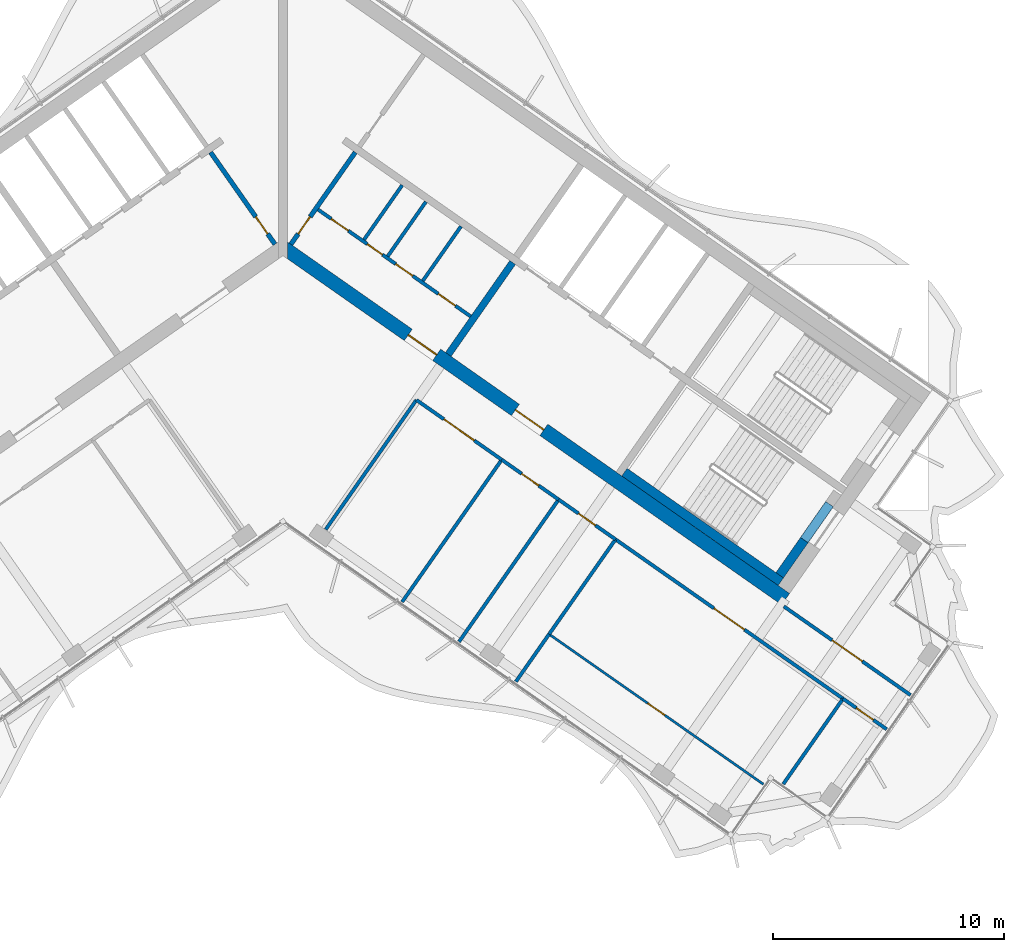
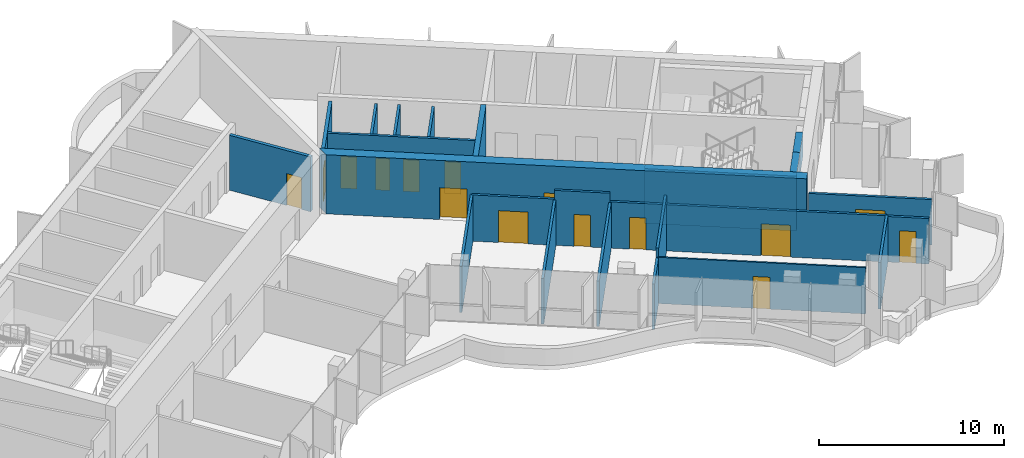
# One storey, part 10 of 17: 24 walls, 15 doors, 15 openings.
"""IFC4 building model written with IfcOpenShell, lengths in metres."""

import ifcopenshell
import ifcopenshell.guid

model = None  # the IFC model being written
_history = None  # IfcOwnerHistory: only IFC2X3 demands one
_inside = {}  # id of a spatial element -> (the spatial element, [elements in it])
_under = {}  # id of a project, library or spatial element -> (it, [spatial elements below it])
_declared = {}  # id of a project -> (the project, [libraries it declares])
_typed = {}  # id of a type object -> (the type object, [elements of that type])
_made_of = {}  # id of a material, layer set ... -> (it, [elements and type objects made of it])


def new_model(schema):
    """Start an empty IFC model of exactly this schema.

    Asked for "IFC4X3", IfcOpenShell would pick the latest addendum, in which some entities
    have other attributes; the version numbers below select the first issue.
    IFC2X3 requires an IfcOwnerHistory on every rooted entity: one is made here for all.
    """
    global model, _history
    if schema == "IFC4X3":
        model = ifcopenshell.file(schema_version=(4, 3, 0, 0))
    else:
        model = ifcopenshell.file(schema=schema)
    _inside.clear()
    _under.clear()
    _declared.clear()
    _typed.clear()
    _made_of.clear()
    _history = None
    if model.schema == "IFC2X3":
        org = make("IfcOrganization", Name="unknown")
        user = make(
            "IfcPersonAndOrganization",
            ThePerson=make("IfcPerson", FamilyName="unknown"),
            TheOrganization=org,
        )
        app = make(
            "IfcApplication",
            ApplicationDeveloper=org,
            Version="unknown",
            ApplicationFullName="unknown",
            ApplicationIdentifier="unknown",
        )
        _history = make(
            "IfcOwnerHistory",
            OwningUser=user,
            OwningApplication=app,
            ChangeAction="ADDED",
            CreationDate=0,
        )
    return model


def make(cls, **values):
    """One entity of the class cls with the attributes given. An attribute that is None is left unset."""
    return model.create_entity(
        cls, **{name: value for name, value in values.items() if value is not None}
    )


def rooted(cls, **values):
    """An entity with a GlobalId (a new one), such as an element, a storey or a relation."""
    return make(cls, GlobalId=ifcopenshell.guid.new(), OwnerHistory=_history, **values)


def si_unit(unit_type, name, prefix=None):
    """IfcSIUnit, for example si_unit("LENGTHUNIT", "METRE", prefix="MILLI")."""
    return make("IfcSIUnit", UnitType=unit_type, Prefix=prefix, Name=name)


def assignment(units):
    """IfcUnitAssignment: the units of a project."""
    return None if units is None else make("IfcUnitAssignment", Units=units)


def point(xyz):
    """IfcCartesianPoint."""
    return None if xyz is None else make("IfcCartesianPoint", Coordinates=xyz)


def direction(xyz):
    """IfcDirection."""
    return None if xyz is None else make("IfcDirection", DirectionRatios=xyz)


def frame(location, z_axis=None, x_axis=None):
    """IfcAxis2Placement3D, a coordinate frame: its origin and axes. An axis left out is left unset."""
    return make(
        "IfcAxis2Placement3D",
        Location=point(location),
        Axis=direction(z_axis),
        RefDirection=direction(x_axis),
    )


def frame_2d(location, x_axis=None):
    """IfcAxis2Placement2D, a coordinate frame in the plane: its origin and x axis."""
    return make(
        "IfcAxis2Placement2D", Location=point(location), RefDirection=direction(x_axis)
    )


def origin():
    """The frame at (0, 0, 0) with its axes left unset."""
    return frame((0.0, 0.0, 0.0))


def place(relative_to, where):
    """IfcLocalPlacement: puts the frame where relative to a parent placement (None: the world)."""
    return make(
        "IfcLocalPlacement", PlacementRelTo=relative_to, RelativePlacement=where
    )


def context(
    kind, dimensions, precision=None, world=None, true_north=None, identifier=None
):
    """IfcGeometricRepresentationContext, for example the 3D "Model" context."""
    return make(
        "IfcGeometricRepresentationContext",
        ContextIdentifier=identifier,
        ContextType=kind,
        CoordinateSpaceDimension=dimensions,
        Precision=precision,
        WorldCoordinateSystem=world,
        TrueNorth=true_north,
    )


def subcontext(parent, identifier, kind, view, scale=None):
    """IfcGeometricRepresentationSubContext, for example "Body" below "Model"."""
    return make(
        "IfcGeometricRepresentationSubContext",
        ContextIdentifier=identifier,
        ContextType=kind,
        ParentContext=parent,
        TargetScale=scale,
        TargetView=view,
    )


def project(units=None, contexts=None):
    """IfcProject with its units and contexts."""
    return rooted(
        "IfcProject",
        Name="project",
        RepresentationContexts=contexts,
        UnitsInContext=assignment(units),
    )


def spatial(cls, under=None, at=None, **own):
    """A site, building, storey or space (cls), placed at a placement, below another one or the project."""
    s = rooted(cls, ObjectPlacement=at, **own)
    if under is not None:
        _under.setdefault(under.id(), (under, []))[1].append(s)
    return s


def polyline(points):
    """IfcPolyline through the points."""
    return make("IfcPolyline", Points=[point(p) for p in points])


def profile(cls, at=None, kind="AREA", **sizes):
    """A parametric profile (cls). Its sizes go by their IFC names, for example OverallWidth=200.0."""
    return make(cls, ProfileType=kind, Position=at, **sizes)


def rectangle(**sizes):
    """IfcRectangleProfileDef."""
    return profile("IfcRectangleProfileDef", **sizes)


def outline(outer, holes=None, kind="AREA"):
    """IfcArbitraryClosedProfileDef: a profile drawn as a closed curve; with holes, ...WithVoids."""
    if holes is None:
        return make("IfcArbitraryClosedProfileDef", ProfileType=kind, OuterCurve=outer)
    return make(
        "IfcArbitraryProfileDefWithVoids",
        ProfileType=kind,
        OuterCurve=outer,
        InnerCurves=holes,
    )


def extrude(swept, where, along, depth):
    """IfcExtrudedAreaSolid: the profile swept, set in the frame where, extruded along a direction by depth."""
    return make(
        "IfcExtrudedAreaSolid",
        SweptArea=swept,
        Position=where,
        ExtrudedDirection=direction(along),
        Depth=depth,
    )


def shape(context_of_items, identifier, shape_type, items):
    """IfcShapeRepresentation: the items that make up one representation, for example the "Body"."""
    return make(
        "IfcShapeRepresentation",
        ContextOfItems=context_of_items,
        RepresentationIdentifier=identifier,
        RepresentationType=shape_type,
        Items=items,
    )


def material(Name=None, Category=None):
    """IfcMaterial."""
    return make("IfcMaterial", Name=Name, Category=Category)


def layer(
    of_material, thickness, ventilated=None, Name=None, Category=None, Priority=None
):
    """IfcMaterialLayer: one layer of a wall or slab, of a material (None: an air gap)."""
    return make(
        "IfcMaterialLayer",
        Material=of_material,
        LayerThickness=thickness,
        IsVentilated=ventilated,
        Name=Name,
        Category=Category,
        Priority=Priority,
    )


def layer_set(layers, Name=None):
    """IfcMaterialLayerSet."""
    return make("IfcMaterialLayerSet", MaterialLayers=layers, LayerSetName=Name)


def made_of(thing, what):
    """Note that an element or type object is made of a material, layer set ...; save() writes the relation."""
    if what is not None:
        _made_of.setdefault(what.id(), (what, []))[1].append(thing)
    return thing


def type_object(cls, material=None, **own):
    """A type object (cls), such as IfcWallType, which elements share."""
    return made_of(rooted(cls, **own), material)


def element(
    cls,
    number,
    at=None,
    inside=None,
    cuts=None,
    type_object=None,
    material=None,
    context=None,
    identifier="Body",
    shape_type=None,
    held_by="IfcProductDefinitionShape",
    body=None,
    shapes=None,
    **own,
):
    """One element of the class cls, such as IfcWall. Its Tag is "e" and its number.

    at: its placement. inside: the storey or other place that contains it. cuts: it is an
    opening in that element (IfcRelVoidsElement). A single representation is given by context,
    identifier, shape_type and body (its items); several are given by shapes. held_by: the class
    of the entity that holds the representations. save() writes the other relations.
    """
    e = rooted(cls, Tag="e%d" % number, ObjectPlacement=at, **own)
    if body is not None:
        shapes = [shape(context, identifier, shape_type, body)]
    if shapes is not None:
        e.Representation = make(held_by, Representations=shapes)
    if inside is not None:
        _inside.setdefault(inside.id(), (inside, []))[1].append(e)
    if cuts is not None:
        rooted(
            "IfcRelVoidsElement", RelatingBuildingElement=cuts, RelatedOpeningElement=e
        )
    if type_object is not None:
        _typed.setdefault(type_object.id(), (type_object, []))[1].append(e)
    return made_of(e, material)


def fill(opening, filler):
    """IfcRelFillsElement: the door or window that sits in an opening."""
    return rooted(
        "IfcRelFillsElement",
        RelatingOpeningElement=opening,
        RelatedBuildingElement=filler,
    )


def aggregate(whole, parts):
    """IfcRelAggregates: a whole, such as a stair, and the parts it consists of."""
    return rooted("IfcRelAggregates", RelatingObject=whole, RelatedObjects=parts)


def save(model, path):
    """Write the relations noted so far, then the file.

    IfcRelAggregates (storeys below a building ...), IfcRelContainedInSpatialStructure (elements
    in a storey), IfcRelDefinesByType, IfcRelAssociatesMaterial and IfcRelDeclares: one each for
    every whole, place, type object, material and project.
    """
    for whole, parts in _under.values():
        aggregate(whole, parts)
    for where, things in _inside.values():
        rooted(
            "IfcRelContainedInSpatialStructure",
            RelatedElements=things,
            RelatingStructure=where,
        )
    for kind, things in _typed.values():
        rooted("IfcRelDefinesByType", RelatedObjects=things, RelatingType=kind)
    for what, things in _made_of.values():
        rooted("IfcRelAssociatesMaterial", RelatedObjects=things, RelatingMaterial=what)
    for by, libraries in _declared.values():
        rooted("IfcRelDeclares", RelatingContext=by, RelatedDefinitions=libraries)
    model.write(path)


model = new_model("IFC4")

# Units and contexts
model_context = context("Model", 3, precision=1e-05, world=origin(), true_north=direction((0.0, 1.0)))
body_context = subcontext(model_context, "Body", "Model", "MODEL_VIEW")
ifc_project = project(units=[si_unit("LENGTHUNIT", "METRE"), si_unit("AREAUNIT", "SQUARE_METRE"), si_unit("VOLUMEUNIT", "CUBIC_METRE"), si_unit("PLANEANGLEUNIT", "RADIAN"), si_unit("MASSUNIT", "GRAM", prefix="KILO")], contexts=[model_context])

# Site, building, storey
site_placement = place(None, origin())
site = spatial("IfcSite", under=ifc_project, at=site_placement, CompositionType="ELEMENT")
building_placement = place(site_placement, origin())
building = spatial("IfcBuilding", under=site, at=building_placement, Name="Tel Ilan Convention Tower", CompositionType="ELEMENT")
storey_placement = place(building_placement, frame((0.0, 0.0, 283.89990234375)))
storey = spatial("IfcBuildingStorey", under=building, at=storey_placement, Name="L67", CompositionType="ELEMENT", Elevation=283.89990234375)

# Wall, openings, doors
ifc_material_1 = material(Name="Gypsum Plasterboard on Steel Stud", Category="steel")
ifc_layer_1 = layer(ifc_material_1, 0.14990234375)
ifc_layer_set_1 = layer_set([ifc_layer_1], Name="Core Room Partition Wall 150 mm EI 60")
wall_type_1 = type_object("IfcWallType", Name="Core Room Partition Wall 150 mm EI 60", PredefinedType="PARTITIONING", material=ifc_layer_set_1)
wall_1_placement = place(storey_placement, frame((1.515625, 0.77001953125, 0.0), z_axis=(0.0, 0.0, 1.0), x_axis=(0.819146424436, -0.573584462249, 0.0)))
wall_1 = element("IfcWall", 1, at=wall_1_placement, inside=storey, type_object=wall_type_1, Name="L67 core wall wc-h1", PredefinedType="PARTITIONING", context=body_context, shape_type="SweptSolid", body=[
    extrude(rectangle(XDim=8.050048828125, YDim=0.14990234375, at=frame_2d((4.02490234375, 0.0))), origin(), (0.0, 0.0, 1.0), 3.6201171875),
])
opening_1_placement = place(wall_1_placement, frame((0.699951171875, 0.0, 0.0)))
opening_1 = element("IfcOpeningElement", 2, at=opening_1_placement, cuts=wall_1, Name="Opening CD5013", PredefinedType="OPENING", context=body_context, shape_type="SweptSolid", body=[
    extrude(rectangle(XDim=0.89990234375, YDim=2.10009765625, at=frame_2d((0.449951171875, 1.050048828125))), frame((0.0, 0.0849609375, 0.0), z_axis=(0.0, -1.0, 0.0), x_axis=(1.0, 0.0, 0.0)), (0.0, 0.0, 1.0), 0.169921875),
])
opening_2_placement = place(wall_1_placement, frame((2.60009765625, 0.0, 0.0)))
opening_2 = element("IfcOpeningElement", 3, at=opening_2_placement, cuts=wall_1, Name="Opening CD5012", PredefinedType="OPENING", context=body_context, shape_type="SweptSolid", body=[
    extrude(rectangle(XDim=0.800048828125, YDim=2.10009765625, at=frame_2d((0.39990234375, 1.050048828125))), frame((0.0, 0.0849609375, 0.0), z_axis=(0.0, -1.0, 0.0), x_axis=(1.0, 0.0, 0.0)), (0.0, 0.0, 1.0), 0.169921875),
])
opening_3_placement = place(wall_1_placement, frame((4.10009765625, 0.0, 0.0)))
opening_3 = element("IfcOpeningElement", 4, at=opening_3_placement, cuts=wall_1, Name="Opening CD5011", PredefinedType="OPENING", context=body_context, shape_type="SweptSolid", body=[
    extrude(rectangle(XDim=0.89990234375, YDim=2.10009765625, at=frame_2d((0.449951171875, 1.050048828125))), frame((0.0, 0.0849609375, 0.0), z_axis=(0.0, -1.0, 0.0), x_axis=(1.0, 0.0, 0.0)), (0.0, 0.0, 1.0), 0.169921875),
])
opening_4_placement = place(wall_1_placement, frame((6.35009765625, 0.0, 0.0)))
opening_4 = element("IfcOpeningElement", 5, at=opening_4_placement, cuts=wall_1, Name="Opening CD5014", PredefinedType="OPENING", context=body_context, shape_type="SweptSolid", body=[
    extrude(rectangle(XDim=0.89990234375, YDim=2.10009765625, at=frame_2d((0.449951171875, 1.050048828125))), frame((0.0, 0.0849609375, 0.0), z_axis=(0.0, -1.0, 0.0), x_axis=(1.0, 0.0, 0.0)), (0.0, 0.0, 1.0), 0.169921875),
])
ifc_material_2 = material(Name="Galvanised Steel Door Leaf", Category="steel")
door_type_1 = type_object("IfcDoorType", Name="Store Door 800 x 2100 FD60", OperationType="NOTDEFINED", PredefinedType="DOOR", material=ifc_material_2)
door_1_placement = place(opening_2_placement, origin())
door_1 = element("IfcDoor", 6, at=door_1_placement, inside=storey, type_object=door_type_1, Name="Cleaner's store door", OperationType="SINGLE_SWING_RIGHT", OverallHeight=2.10009765625, OverallWidth=0.800048828125, PredefinedType="DOOR", context=body_context, shape_type="SweptSolid", body=[
    extrude(rectangle(XDim=0.800048828125, YDim=2.10009765625, at=frame_2d((0.39990234375, 1.050048828125))), frame((0.0, 0.02490234375, 0.0), z_axis=(0.0, -1.0, 0.0), x_axis=(1.0, 0.0, 0.0)), (0.0, 0.0, 1.0), 0.050048828125),
])
fill(opening_2, door_1)
ifc_material_3 = material(Name="Laminated Timber Door Leaf", Category="wood")
door_type_2 = type_object("IfcDoorType", Name="Toilet Door 900 x 2100 FD30S", OperationType="NOTDEFINED", PredefinedType="DOOR", material=ifc_material_3)
door_2_placement = place(opening_1_placement, origin())
door_2 = element("IfcDoor", 7, at=door_2_placement, inside=storey, type_object=door_type_2, Name="Men's WC door", OperationType="SINGLE_SWING_RIGHT", OverallHeight=2.10009765625, OverallWidth=0.89990234375, PredefinedType="DOOR", context=body_context, shape_type="SweptSolid", body=[
    extrude(rectangle(XDim=0.89990234375, YDim=2.10009765625, at=frame_2d((0.449951171875, 1.050048828125))), frame((0.0, 0.02490234375, 0.0), z_axis=(0.0, -1.0, 0.0), x_axis=(1.0, 0.0, 0.0)), (0.0, 0.0, 1.0), 0.050048828125),
])
fill(opening_1, door_2)
door_3_placement = place(opening_3_placement, origin())
door_3 = element("IfcDoor", 8, at=door_3_placement, inside=storey, type_object=door_type_2, Name="Accessible WC door", OperationType="SINGLE_SWING_RIGHT", OverallHeight=2.10009765625, OverallWidth=0.89990234375, PredefinedType="DOOR", context=body_context, shape_type="SweptSolid", body=[
    extrude(rectangle(XDim=0.89990234375, YDim=2.10009765625, at=frame_2d((0.449951171875, 1.050048828125))), frame((0.0, 0.02490234375, 0.0), z_axis=(0.0, -1.0, 0.0), x_axis=(1.0, 0.0, 0.0)), (0.0, 0.0, 1.0), 0.050048828125),
])
fill(opening_3, door_3)
door_4_placement = place(opening_4_placement, origin())
door_4 = element("IfcDoor", 9, at=door_4_placement, inside=storey, type_object=door_type_2, Name="Women's WC door", OperationType="SINGLE_SWING_RIGHT", OverallHeight=2.10009765625, OverallWidth=0.89990234375, PredefinedType="DOOR", context=body_context, shape_type="SweptSolid", body=[
    extrude(rectangle(XDim=0.89990234375, YDim=2.10009765625, at=frame_2d((0.449951171875, 1.050048828125))), frame((0.0, 0.02490234375, 0.0), z_axis=(0.0, -1.0, 0.0), x_axis=(1.0, 0.0, 0.0)), (0.0, 0.0, 1.0), 0.050048828125),
])
fill(opening_4, door_4)

# Walls
wall_2_placement = place(storey_placement, frame((3.504150390625, -0.531005859375, 0.0), z_axis=(0.0, 0.0, 1.0), x_axis=(0.573582013179, 0.819148139324, 0.0)))
element("IfcWall", 10, at=wall_2_placement, inside=storey, type_object=wall_type_1, Name="L67 core wall wc-v0", PredefinedType="PARTITIONING", context=body_context, shape_type="SweptSolid", body=[
    extrude(rectangle(XDim=2.875244140625, YDim=0.14990234375, at=frame_2d((1.4375, 0.0))), origin(), (0.0, 0.0, 1.0), 3.6201171875),
])
wall_3_placement = place(storey_placement, frame((4.528076171875, -1.247802734375, 0.0), z_axis=(0.0, 0.0, 1.0), x_axis=(0.573621911162, 0.819120200602, 0.0)))
element("IfcWall", 11, at=wall_3_placement, inside=storey, type_object=wall_type_1, Name="L67 core wall wc-v1", PredefinedType="PARTITIONING", context=body_context, shape_type="SweptSolid", body=[
    extrude(rectangle(XDim=2.875, YDim=0.14990234375, at=frame_2d((1.4375, 0.0))), origin(), (0.0, 0.0, 1.0), 3.6201171875),
])
wall_4_placement = place(storey_placement, frame((6.043701171875, -2.30908203125, 0.0), z_axis=(0.0, 0.0, 1.0), x_axis=(0.573564930514, 0.819160100642, 0.0)))
element("IfcWall", 12, at=wall_4_placement, inside=storey, type_object=wall_type_1, Name="L67 core wall wc-v2", PredefinedType="PARTITIONING", context=body_context, shape_type="SweptSolid", body=[
    extrude(rectangle(XDim=2.874755859375, YDim=0.14990234375, at=frame_2d((1.4375, 0.0))), origin(), (0.0, 0.0, 1.0), 3.6201171875),
])

# Wall, opening, door
ifc_material_4 = material(Name="Concrete C30/37", Category="concrete")
ifc_layer_2 = layer(ifc_material_4, 0.199951171875)
ifc_layer_set_2 = layer_set([ifc_layer_2], Name="Core Service Room Wall 200 mm C30/37")
wall_type_2 = type_object("IfcWallType", Name="Core Service Room Wall 200 mm C30/37", PredefinedType="SOLIDWALL", material=ifc_layer_set_2)
wall_5_placement = place(storey_placement, frame((-0.343994140625, -0.729248046875, 0.0), z_axis=(0.0, 0.0, 1.0), x_axis=(-0.573560315113, 0.819163332265, 0.0)))
wall_5 = element("IfcWall", 13, at=wall_5_placement, inside=storey, type_object=wall_type_2, Name="L67 core wall apex-W", PredefinedType="SOLIDWALL", context=body_context, shape_type="SweptSolid", body=[
    extrude(rectangle(XDim=4.849853515625, YDim=0.199951171875, at=frame_2d((2.4248046875, 0.0))), origin(), (0.0, 0.0, 1.0), 3.6201171875),
])
opening_5_placement = place(wall_5_placement, frame((0.550048828125, 0.0, 0.0)))
opening_5 = element("IfcOpeningElement", 14, at=opening_5_placement, cuts=wall_5, Name="Opening CD5002", PredefinedType="OPENING", context=body_context, shape_type="SweptSolid", body=[
    extrude(rectangle(XDim=0.89990234375, YDim=2.10009765625, at=frame_2d((0.449951171875, 1.050048828125))), frame((0.0, 0.10986328125, 0.0), z_axis=(0.0, -1.0, 0.0), x_axis=(1.0, 0.0, 0.0)), (0.0, 0.0, 1.0), 0.219970703125),
])
ifc_material_5 = material(Name="Galvanised Steel Door Leaf", Category="steel")
door_type_3 = type_object("IfcDoorType", Name="Service Room Door 900 x 2100 FD60", OperationType="NOTDEFINED", PredefinedType="DOOR", material=ifc_material_5)
door_5_placement = place(opening_5_placement, origin())
door_5 = element("IfcDoor", 15, at=door_5_placement, inside=storey, type_object=door_type_3, Name="Riser Room door", OperationType="SINGLE_SWING_RIGHT", OverallHeight=2.10009765625, OverallWidth=0.89990234375, PredefinedType="DOOR", context=body_context, shape_type="SweptSolid", body=[
    extrude(rectangle(XDim=0.89990234375, YDim=2.10009765625, at=frame_2d((0.449951171875, 1.050048828125))), frame((0.0, 0.02490234375, 0.0), z_axis=(0.0, -1.0, 0.0), x_axis=(1.0, 0.0, 0.0)), (0.0, 0.0, 1.0), 0.050048828125),
])
fill(opening_5, door_5)

wall_6_placement = place(storey_placement, frame((0.343994140625, -0.729248046875, 0.0), z_axis=(0.0, 0.0, 1.0), x_axis=(0.573560315113, 0.819163332265, 0.0)))
wall_6 = element("IfcWall", 16, at=wall_6_placement, inside=storey, type_object=wall_type_2, Name="L67 core wall apex-E", PredefinedType="SOLIDWALL", context=body_context, shape_type="SweptSolid", body=[
    extrude(rectangle(XDim=4.849853515625, YDim=0.199951171875, at=frame_2d((2.4248046875, 0.0))), origin(), (0.0, 0.0, 1.0), 3.6201171875),
])
opening_6_placement = place(wall_6_placement, frame((0.550048828125, 0.0, 0.0)))
opening_6 = element("IfcOpeningElement", 17, at=opening_6_placement, cuts=wall_6, Name="Opening CD5001", PredefinedType="OPENING", context=body_context, shape_type="SweptSolid", body=[
    extrude(rectangle(XDim=0.89990234375, YDim=2.10009765625, at=frame_2d((0.449951171875, 1.050048828125))), frame((0.0, 0.10986328125, 0.0), z_axis=(0.0, -1.0, 0.0), x_axis=(1.0, 0.0, 0.0)), (0.0, 0.0, 1.0), 0.219970703125),
])
door_6_placement = place(opening_6_placement, origin())
door_6 = element("IfcDoor", 18, at=door_6_placement, inside=storey, type_object=door_type_3, Name="Electrical Room door", OperationType="SINGLE_SWING_RIGHT", OverallHeight=2.10009765625, OverallWidth=0.89990234375, PredefinedType="DOOR", context=body_context, shape_type="SweptSolid", body=[
    extrude(rectangle(XDim=0.89990234375, YDim=2.10009765625, at=frame_2d((0.449951171875, 1.050048828125))), frame((0.0, 0.02490234375, 0.0), z_axis=(0.0, -1.0, 0.0), x_axis=(1.0, 0.0, 0.0)), (0.0, 0.0, 1.0), 0.050048828125),
])
fill(opening_6, door_6)

# Wall
ifc_material_6 = material(Name="Concrete C40/50", Category="concrete")
ifc_layer_3 = layer(ifc_material_6, 0.300048828125)
ifc_layer_set_3 = layer_set([ifc_layer_3], Name="Core Shear Wall 300 mm C40/50")
wall_type_3 = type_object("IfcWallType", Name="Core Shear Wall 300 mm C40/50", PredefinedType="SHEAR", material=ifc_layer_set_3)
wall_7_placement = place(storey_placement, frame((7.142822265625, -5.48974609375, 0.0), z_axis=(0.0, 0.0, 1.0), x_axis=(0.573617744349, 0.819123118565, 0.0)))
element("IfcWall", 19, at=wall_7_placement, inside=storey, type_object=wall_type_3, Name="L67 core wall E-cross1-1", PredefinedType="SHEAR", context=body_context, shape_type="SweptSolid", body=[
    extrude(outline(polyline([(0.0, 0.14990234375), (0.0, -0.150146484375), (4.85009765625, -0.14990234375), (4.85009765625, 0.150146484375), (0.0, 0.14990234375)])), origin(), (0.0, 0.0, 1.0), 3.900146484375),
])

# Wall, openings, doors
ifc_material_7 = material(Name="Concrete C40/50", Category="concrete")
ifc_layer_4 = layer(ifc_material_7, 0.60009765625)
ifc_layer_set_4 = layer_set([ifc_layer_4], Name="Core Shear Wall 600 mm C40/50")
wall_type_4 = type_object("IfcWallType", Name="Core Shear Wall 600 mm C40/50", PredefinedType="SHEAR", material=ifc_layer_set_4)
wall_8_placement = place(storey_placement, frame((0.02783203125, -0.8740234375, 0.0), z_axis=(0.0, 0.0, 1.0), x_axis=(0.819150035022, -0.573579305871, 0.0)))
wall_8 = element("IfcWall", 20, at=wall_8_placement, inside=storey, type_object=wall_type_4, Name="L67 core wall E-front", PredefinedType="SHEAR", context=body_context, shape_type="SweptSolid", body=[
    extrude(outline(polyline([(26.475830078125, 0.300048828125), (0.000244140625, 0.300048828125), (0.420166015625, -0.300048828125), (26.475830078125, -0.2998046875), (26.475830078125, 0.300048828125)])), origin(), (0.0, 0.0, 1.0), 3.900146484375),
])
opening_7_placement = place(wall_8_placement, frame((6.57568359375, 0.0, 0.0)))
opening_7 = element("IfcOpeningElement", 21, at=opening_7_placement, cuts=wall_8, Name="Opening CD5004", PredefinedType="OPENING", context=body_context, shape_type="SweptSolid", body=[
    extrude(rectangle(XDim=1.5, YDim=2.10009765625, at=frame_2d((0.75, 1.050048828125))), frame((0.0, 0.31005859375, 0.0), z_axis=(0.0, -1.0, 0.0), x_axis=(1.0, 0.0, 0.0)), (0.0, 0.0, 1.0), 0.6201171875),
])
opening_8_placement = place(wall_8_placement, frame((12.225830078125, 0.0, 0.0)))
opening_8 = element("IfcOpeningElement", 22, at=opening_8_placement, cuts=wall_8, Name="Opening CD5005", PredefinedType="OPENING", context=body_context, shape_type="SweptSolid", body=[
    extrude(rectangle(XDim=1.5, YDim=2.10009765625, at=frame_2d((0.75, 1.050048828125))), frame((0.0, 0.31005859375, 0.0), z_axis=(0.0, -1.0, 0.0), x_axis=(1.0, 0.0, 0.0)), (0.0, 0.0, 1.0), 0.6201171875),
])
ifc_material_8 = material(Name="Glazed Aluminium Door Leaf", Category="aluminium")
door_type_4 = type_object("IfcDoorType", Name="Lobby Opening Door 1500 x 2100 FD60S", OperationType="NOTDEFINED", PredefinedType="DOOR", material=ifc_material_8)
door_7_placement = place(opening_8_placement, origin())
door_7 = element("IfcDoor", 23, at=door_7_placement, inside=storey, type_object=door_type_4, Name="Firefighting Lobby door", OperationType="DOUBLE_DOOR_SINGLE_SWING", OverallHeight=2.10009765625, OverallWidth=1.5, PredefinedType="DOOR", context=body_context, shape_type="SweptSolid", body=[
    extrude(rectangle(XDim=1.5, YDim=2.10009765625, at=frame_2d((0.75, 1.050048828125))), frame((0.0, 0.02490234375, 0.0), z_axis=(0.0, -1.0, 0.0), x_axis=(1.0, 0.0, 0.0)), (0.0, 0.0, 1.0), 0.050048828125),
])
fill(opening_8, door_7)
ifc_material_9 = material(Name="Laminated Timber Door Leaf", Category="wood")
door_type_5 = type_object("IfcDoorType", Name="Toilet Door 1500 x 2100 FD30S", OperationType="NOTDEFINED", PredefinedType="DOOR", material=ifc_material_9)
door_8_placement = place(opening_7_placement, origin())
door_8 = element("IfcDoor", 24, at=door_8_placement, inside=storey, type_object=door_type_5, Name="WC Lobby door", OperationType="SINGLE_SWING_RIGHT", OverallHeight=2.10009765625, OverallWidth=1.5, PredefinedType="DOOR", context=body_context, shape_type="SweptSolid", body=[
    extrude(rectangle(XDim=1.5, YDim=2.10009765625, at=frame_2d((0.75, 1.050048828125))), frame((0.0, 0.02490234375, 0.0), z_axis=(0.0, -1.0, 0.0), x_axis=(1.0, 0.0, 0.0)), (0.0, 0.0, 1.0), 0.050048828125),
])
fill(opening_7, door_8)

# Wall, opening, door
ifc_material_10 = material(Name="Plasterboard on Steel Studs", Category="steel")
ifc_layer_5 = layer(ifc_material_10, 0.14990234375)
ifc_layer_set_5 = layer_set([ifc_layer_5], Name="Fire-rated Partition 150 EI 60")
wall_type_5 = type_object("IfcWallType", Name="Fire-rated Partition 150 EI 60", PredefinedType="PARTITIONING", material=ifc_layer_set_5)
wall_9_placement = place(storey_placement, frame((21.641845703125, -16.37451171875, 0.0), z_axis=(0.0, 0.0, 1.0), x_axis=(0.819147777977, -0.573582529227, 0.0)))
wall_9 = element("IfcWall", 25, at=wall_9_placement, inside=storey, type_object=wall_type_5, Name="Partition 001", PredefinedType="PARTITIONING", context=body_context, shape_type="SweptSolid", body=[
    extrude(rectangle(XDim=6.679931640625, YDim=0.14990234375, at=frame_2d((3.33984375, 0.0))), origin(), (0.0, 0.0, 1.0), 3.0),
])
opening_9_placement = place(wall_9_placement, frame((2.5400390625, 0.0, 0.0)))
opening_9 = element("IfcOpeningElement", 26, at=opening_9_placement, cuts=wall_9, Name="Opening L65-015", PredefinedType="OPENING", context=body_context, shape_type="SweptSolid", body=[
    extrude(rectangle(XDim=1.60009765625, YDim=2.10009765625, at=frame_2d((0.800048828125, 1.050048828125))), frame((0.0, 0.0849609375, 0.0), z_axis=(0.0, -1.0, 0.0), x_axis=(1.0, 0.0, 0.0)), (0.0, 0.0, 1.0), 0.169921875),
])
ifc_material_11 = material(Name="Timber Door Leaf in Steel Frame", Category="steel")
door_type_6 = type_object("IfcDoorType", Name="Tenant Suite Entrance Fire Door 1600x2100", OperationType="NOTDEFINED", PredefinedType="DOOR", material=ifc_material_11)
door_9_placement = place(opening_9_placement, origin())
door_9 = element("IfcDoor", 27, at=door_9_placement, inside=storey, type_object=door_type_6, Name="Door L65-015", OperationType="DOUBLE_DOOR_SINGLE_SWING", OverallHeight=2.10009765625, OverallWidth=1.60009765625, PredefinedType="DOOR", context=body_context, shape_type="SweptSolid", body=[
    extrude(rectangle(XDim=1.60009765625, YDim=2.10009765625, at=frame_2d((0.800048828125, 1.050048828125))), frame((0.0, 0.02490234375, 0.0), z_axis=(0.0, -1.0, 0.0), x_axis=(1.0, 0.0, 0.0)), (0.0, 0.0, 1.0), 0.050048828125),
])
fill(opening_9, door_9)

wall_10_placement = place(storey_placement, frame((9.4541015625, -10.0380859375, 0.0), z_axis=(0.0, 0.0, 1.0), x_axis=(-0.819142740634, 0.573589723117, 0.0)))
wall_10 = element("IfcWall", 28, at=wall_10_placement, inside=storey, type_object=wall_type_5, Name="Partition 002", PredefinedType="PARTITIONING", context=body_context, shape_type="SweptSolid", body=[
    extrude(rectangle(XDim=4.501953125, YDim=0.14990234375, at=frame_2d((2.2509765625, 0.0))), origin(), (0.0, 0.0, 1.0), 3.050048828125),
])
opening_10_placement = place(wall_10_placement, frame((1.450927734375, 0.0, 0.0)))
opening_10 = element("IfcOpeningElement", 29, at=opening_10_placement, cuts=wall_10, Name="Opening L65-009", PredefinedType="OPENING", context=body_context, shape_type="SweptSolid", body=[
    extrude(rectangle(XDim=1.60009765625, YDim=2.10009765625, at=frame_2d((0.800048828125, 1.050048828125))), frame((0.0, 0.0849609375, 0.0), z_axis=(0.0, -1.0, 0.0), x_axis=(1.0, 0.0, 0.0)), (0.0, 0.0, 1.0), 0.169921875),
])
door_10_placement = place(opening_10_placement, origin())
door_10 = element("IfcDoor", 30, at=door_10_placement, inside=storey, type_object=door_type_6, Name="Door L65-009", OperationType="DOUBLE_DOOR_SINGLE_SWING", OverallHeight=2.10009765625, OverallWidth=1.60009765625, PredefinedType="DOOR", context=body_context, shape_type="SweptSolid", body=[
    extrude(rectangle(XDim=1.60009765625, YDim=2.10009765625, at=frame_2d((0.800048828125, 1.050048828125))), frame((0.0, 0.02490234375, 0.0), z_axis=(0.0, -1.0, 0.0), x_axis=(1.0, 0.0, 0.0)), (0.0, 0.0, 1.0), 0.050048828125),
])
fill(opening_10, door_10)

wall_11_placement = place(storey_placement, frame((11.91162109375, -11.7587890625, 0.0), z_axis=(0.0, 0.0, 1.0), x_axis=(-0.81916700466, 0.573555070134, 0.0)))
wall_11 = element("IfcWall", 31, at=wall_11_placement, inside=storey, type_object=wall_type_5, Name="Partition 003", PredefinedType="PARTITIONING", context=body_context, shape_type="SweptSolid", body=[
    extrude(rectangle(XDim=3.00390625, YDim=0.14990234375, at=frame_2d((1.501953125, 0.0))), origin(), (0.0, 0.0, 1.0), 3.6201171875),
])
opening_11_placement = place(wall_11_placement, frame((1.052001953125, 0.0, 0.0)))
opening_11 = element("IfcOpeningElement", 32, at=opening_11_placement, cuts=wall_11, Name="Opening L65-010", PredefinedType="OPENING", context=body_context, shape_type="SweptSolid", body=[
    extrude(rectangle(XDim=0.89990234375, YDim=2.10009765625, at=frame_2d((0.449951171875, 1.050048828125))), frame((0.0, 0.0849609375, 0.0), z_axis=(0.0, -1.0, 0.0), x_axis=(1.0, 0.0, 0.0)), (0.0, 0.0, 1.0), 0.169921875),
])
ifc_material_12 = material(Name="Timber Door Leaf in Steel Frame", Category="steel")
door_type_7 = type_object("IfcDoorType", Name="Room Fire Door 900x2100", OperationType="NOTDEFINED", PredefinedType="DOOR", material=ifc_material_12)
door_11_placement = place(opening_11_placement, origin())
door_11 = element("IfcDoor", 33, at=door_11_placement, inside=storey, type_object=door_type_7, Name="Door L65-010", OperationType="SINGLE_SWING_LEFT", OverallHeight=2.10009765625, OverallWidth=0.89990234375, PredefinedType="DOOR", context=body_context, shape_type="SweptSolid", body=[
    extrude(rectangle(XDim=0.89990234375, YDim=2.10009765625, at=frame_2d((0.449951171875, 1.050048828125))), frame((0.0, 0.02490234375, 0.0), z_axis=(0.0, -1.0, 0.0), x_axis=(1.0, 0.0, 0.0)), (0.0, 0.0, 1.0), 0.050048828125),
])
fill(opening_11, door_11)

wall_12_placement = place(storey_placement, frame((14.369140625, -13.4794921875, 0.0), z_axis=(0.0, 0.0, 1.0), x_axis=(-0.81916700466, 0.573555070134, 0.0)))
wall_12 = element("IfcWall", 34, at=wall_12_placement, inside=storey, type_object=wall_type_5, Name="Partition 004", PredefinedType="PARTITIONING", context=body_context, shape_type="SweptSolid", body=[
    extrude(rectangle(XDim=3.00390625, YDim=0.14990234375, at=frame_2d((1.501953125, 0.0))), origin(), (0.0, 0.0, 1.0), 3.050048828125),
])
opening_12_placement = place(wall_12_placement, frame((1.052001953125, 0.0, 0.0)))
opening_12 = element("IfcOpeningElement", 35, at=opening_12_placement, cuts=wall_12, Name="Opening L65-011", PredefinedType="OPENING", context=body_context, shape_type="SweptSolid", body=[
    extrude(rectangle(XDim=0.89990234375, YDim=2.10009765625, at=frame_2d((0.449951171875, 1.050048828125))), frame((0.0, 0.0849609375, 0.0), z_axis=(0.0, -1.0, 0.0), x_axis=(1.0, 0.0, 0.0)), (0.0, 0.0, 1.0), 0.169921875),
])
door_12_placement = place(opening_12_placement, origin())
door_12 = element("IfcDoor", 36, at=door_12_placement, inside=storey, type_object=door_type_7, Name="Door L65-011", OperationType="SINGLE_SWING_RIGHT", OverallHeight=2.10009765625, OverallWidth=0.89990234375, PredefinedType="DOOR", context=body_context, shape_type="SweptSolid", body=[
    extrude(rectangle(XDim=0.89990234375, YDim=2.10009765625, at=frame_2d((0.449951171875, 1.050048828125))), frame((0.0, 0.02490234375, 0.0), z_axis=(0.0, -1.0, 0.0), x_axis=(1.0, 0.0, 0.0)), (0.0, 0.0, 1.0), 0.050048828125),
])
fill(opening_12, door_12)

wall_13_placement = place(storey_placement, frame((24.198974609375, -20.3623046875, 0.0), z_axis=(0.0, 0.0, 1.0), x_axis=(-0.819164075089, 0.573559254204, 0.0)))
wall_13 = element("IfcWall", 37, at=wall_13_placement, inside=storey, type_object=wall_type_5, Name="Partition 005", PredefinedType="PARTITIONING", context=body_context, shape_type="SweptSolid", body=[
    extrude(rectangle(XDim=12.00390625, YDim=0.14990234375, at=frame_2d((6.001953125, 0.0))), origin(), (0.0, 0.0, 1.0), 3.050048828125),
])
opening_13_placement = place(wall_13_placement, frame((5.201904296875, 0.0, 0.0)))
opening_13 = element("IfcOpeningElement", 38, at=opening_13_placement, cuts=wall_13, Name="Opening L65-012", PredefinedType="OPENING", context=body_context, shape_type="SweptSolid", body=[
    extrude(rectangle(XDim=1.60009765625, YDim=2.10009765625, at=frame_2d((0.800048828125, 1.050048828125))), frame((0.0, 0.0849609375, 0.0), z_axis=(0.0, -1.0, 0.0), x_axis=(1.0, 0.0, 0.0)), (0.0, 0.0, 1.0), 0.169921875),
])
door_13_placement = place(opening_13_placement, origin())
door_13 = element("IfcDoor", 39, at=door_13_placement, inside=storey, type_object=door_type_6, Name="Door L65-012", OperationType="DOUBLE_DOOR_SINGLE_SWING", OverallHeight=2.10009765625, OverallWidth=1.60009765625, PredefinedType="DOOR", context=body_context, shape_type="SweptSolid", body=[
    extrude(rectangle(XDim=1.60009765625, YDim=2.10009765625, at=frame_2d((0.800048828125, 1.050048828125))), frame((0.0, 0.02490234375, 0.0), z_axis=(0.0, -1.0, 0.0), x_axis=(1.0, 0.0, 0.0)), (0.0, 0.0, 1.0), 0.050048828125),
])
fill(opening_13, door_13)

wall_14_placement = place(storey_placement, frame((26.081298828125, -21.680419921875, 0.0), z_axis=(0.0, 0.0, 1.0), x_axis=(-0.819172126429, 0.573547755014, 0.0)))
wall_14 = element("IfcWall", 40, at=wall_14_placement, inside=storey, type_object=wall_type_5, Name="Partition 006", PredefinedType="PARTITIONING", context=body_context, shape_type="SweptSolid", body=[
    extrude(rectangle(XDim=2.302001953125, YDim=0.14990234375, at=frame_2d((1.15087890625, 0.0))), origin(), (0.0, 0.0, 1.0), 3.0),
])
opening_14_placement = place(wall_14_placement, frame((0.700927734375, 0.0, 0.0)))
opening_14 = element("IfcOpeningElement", 41, at=opening_14_placement, cuts=wall_14, Name="Opening L65-014", PredefinedType="OPENING", context=body_context, shape_type="SweptSolid", body=[
    extrude(rectangle(XDim=0.89990234375, YDim=2.10009765625, at=frame_2d((0.449951171875, 1.050048828125))), frame((0.0, 0.0849609375, 0.0), z_axis=(0.0, -1.0, 0.0), x_axis=(1.0, 0.0, 0.0)), (0.0, 0.0, 1.0), 0.169921875),
])
door_14_placement = place(opening_14_placement, origin())
door_14 = element("IfcDoor", 42, at=door_14_placement, inside=storey, type_object=door_type_7, Name="Door L65-014", OperationType="SINGLE_SWING_RIGHT", OverallHeight=2.10009765625, OverallWidth=0.89990234375, PredefinedType="DOOR", context=body_context, shape_type="SweptSolid", body=[
    extrude(rectangle(XDim=0.89990234375, YDim=2.10009765625, at=frame_2d((0.449951171875, 1.050048828125))), frame((0.0, 0.02490234375, 0.0), z_axis=(0.0, -1.0, 0.0), x_axis=(1.0, 0.0, 0.0)), (0.0, 0.0, 1.0), 0.050048828125),
])
fill(opening_14, door_14)

# Walls
wall_15_placement = place(storey_placement, frame((9.452392578125, -10.036865234375, 0.0), z_axis=(0.0, 0.0, 1.0), x_axis=(-0.573575945067, -0.81915238829, 0.0)))
element("IfcWall", 43, at=wall_15_placement, inside=storey, type_object=wall_type_5, Name="Partition 014", PredefinedType="PARTITIONING", context=body_context, shape_type="SweptSolid", body=[
    extrude(rectangle(XDim=7.5, YDim=0.14990234375, at=frame_2d((3.75, 0.0))), origin(), (0.0, 0.0, 1.0), 3.0),
])
wall_16_placement = place(storey_placement, frame((1.848876953125, -13.050537109375, 0.0), z_axis=(0.0, 0.0, 1.0), x_axis=(0.573577493031, 0.819151304393, 0.0)))
element("IfcWall", 44, at=wall_16_placement, inside=storey, type_object=wall_type_5, Name="Partition 015", PredefinedType="PARTITIONING", context=body_context, shape_type="SweptSolid", body=[
    extrude(rectangle(XDim=6.829833984375, YDim=0.14990234375, at=frame_2d((3.4150390625, 0.0))), origin(), (0.0, 0.0, 1.0), 3.050048828125),
])
wall_17_placement = place(storey_placement, frame((11.909912109375, -11.757568359375, 0.0), z_axis=(0.0, 0.0, 1.0), x_axis=(-0.573560650686, -0.819163097304, 0.0)))
element("IfcWall", 45, at=wall_17_placement, inside=storey, type_object=wall_type_5, Name="Partition 016", PredefinedType="PARTITIONING", context=body_context, shape_type="SweptSolid", body=[
    extrude(rectangle(XDim=7.5, YDim=0.14990234375, at=frame_2d((3.75, 0.0))), origin(), (0.0, 0.0, 1.0), 3.0),
])
wall_18_placement = place(storey_placement, frame((11.5, -17.5732421875, 0.0), z_axis=(0.0, 0.0, 1.0), x_axis=(-0.573501652684, -0.819204403289, 0.0)))
element("IfcWall", 46, at=wall_18_placement, inside=storey, type_object=wall_type_5, Name="Partition 017", PredefinedType="PARTITIONING", context=body_context, shape_type="SweptSolid", body=[
    extrude(rectangle(XDim=2.5009765625, YDim=0.14990234375, at=frame_2d((1.25048828125, 0.0))), origin(), (0.0, 0.0, 1.0), 3.0),
])
wall_19_placement = place(storey_placement, frame((14.367431640625, -13.478515625, 0.0), z_axis=(0.0, 0.0, 1.0), x_axis=(-0.573613022702, -0.819126425033, 0.0)))
element("IfcWall", 47, at=wall_19_placement, inside=storey, type_object=wall_type_5, Name="Partition 018", PredefinedType="PARTITIONING", context=body_context, shape_type="SweptSolid", body=[
    extrude(rectangle(XDim=5.001953125, YDim=0.14990234375, at=frame_2d((2.5009765625, 0.0))), origin(), (0.0, 0.0, 1.0), 3.6201171875),
])
wall_20_placement = place(storey_placement, frame((24.197265625, -20.361328125, 0.0), z_axis=(0.0, 0.0, 1.0), x_axis=(-0.573560650686, -0.819163097304, 0.0)))
element("IfcWall", 48, at=wall_20_placement, inside=storey, type_object=wall_type_5, Name="Partition 020", PredefinedType="PARTITIONING", context=body_context, shape_type="SweptSolid", body=[
    extrude(rectangle(XDim=4.5, YDim=0.14990234375, at=frame_2d((2.25, 0.0))), origin(), (0.0, 0.0, 1.0), 3.050048828125),
])

# Wall, opening, door
ifc_material_13 = material(Name="Plasterboard on Steel Studs", Category="steel")
ifc_layer_6 = layer(ifc_material_13, 0.10009765625)
ifc_layer_set_6 = layer_set([ifc_layer_6], Name="Plasterboard Partition 100")
wall_type_6 = type_object("IfcWallType", Name="Plasterboard Partition 100", PredefinedType="PARTITIONING", material=ifc_layer_set_6)
wall_21_placement = place(storey_placement, frame((20.75537109375, -24.056396484375, 0.0), z_axis=(0.0, 0.0, 1.0), x_axis=(-0.819148680192, 0.573581240749, 0.0)))
wall_21 = element("IfcWall", 49, at=wall_21_placement, inside=storey, type_object=wall_type_6, Name="Partition 019", PredefinedType="PARTITIONING", context=body_context, shape_type="SweptSolid", body=[
    extrude(rectangle(XDim=11.300048828125, YDim=0.10009765625, at=frame_2d((5.64990234375, 0.0))), origin(), (0.0, 0.0, 1.0), 3.050048828125),
])
opening_15_placement = place(wall_21_placement, frame((5.199951171875, 0.0, 0.0)))
opening_15 = element("IfcOpeningElement", 50, at=opening_15_placement, cuts=wall_21, Name="Opening L65-013", PredefinedType="OPENING", context=body_context, shape_type="SweptSolid", body=[
    extrude(rectangle(XDim=0.89990234375, YDim=2.10009765625, at=frame_2d((0.449951171875, 1.050048828125))), frame((0.0, 0.06005859375, 0.0), z_axis=(0.0, -1.0, 0.0), x_axis=(1.0, 0.0, 0.0)), (0.0, 0.0, 1.0), 0.1201171875),
])
ifc_material_14 = material(Name="Timber Door Leaf in Steel Frame", Category="steel")
door_type_8 = type_object("IfcDoorType", Name="Room Timber Door 900x2100", OperationType="NOTDEFINED", PredefinedType="DOOR", material=ifc_material_14)
door_15_placement = place(opening_15_placement, origin())
door_15 = element("IfcDoor", 51, at=door_15_placement, inside=storey, type_object=door_type_8, Name="Door L65-013", OperationType="SINGLE_SWING_RIGHT", OverallHeight=2.10009765625, OverallWidth=0.89990234375, PredefinedType="DOOR", context=body_context, shape_type="SweptSolid", body=[
    extrude(rectangle(XDim=0.89990234375, YDim=2.10009765625, at=frame_2d((0.449951171875, 1.050048828125))), frame((0.0, 0.02490234375, 0.0), z_axis=(0.0, -1.0, 0.0), x_axis=(1.0, 0.0, 0.0)), (0.0, 0.0, 1.0), 0.050048828125),
])
fill(opening_15, door_15)

# Walls
ifc_material_15 = material(Name="Concrete C30/37", Category="concrete")
ifc_layer_7 = layer(ifc_material_15, 0.39990234375)
ifc_layer_set_7 = layer_set([ifc_layer_7], Name="Stair and Shaft Lining Wall 400 mm C30/37")
wall_type_7 = type_object("IfcWallType", Name="Stair and Shaft Lining Wall 400 mm C30/37", PredefinedType="SOLIDWALL", material=ifc_layer_set_7)
wall_22_placement = place(storey_placement, frame((14.7529296875, -10.57421875, 0.0), z_axis=(0.0, 0.0, 1.0), x_axis=(0.819158229677, -0.573567602601, 0.0)))
element("IfcWall", 52, at=wall_22_placement, inside=storey, type_object=wall_type_7, Name="L67 core wall lining-S4-t0", PredefinedType="SOLIDWALL", context=body_context, shape_type="SweptSolid", body=[
    extrude(rectangle(XDim=8.25, YDim=0.39990234375, at=frame_2d((4.125, 0.0))), origin(), (0.0, 0.0, 1.0), 3.6201171875),
])
wall_23_placement = place(storey_placement, frame((21.4619140625, -15.027587890625, 0.0), z_axis=(0.0, 0.0, 1.0), x_axis=(0.573559770908, 0.819163713305, 0.0)))
element("IfcWall", 53, at=wall_23_placement, inside=storey, type_object=wall_type_7, Name="L67 core wall lining-S4-u1-0", PredefinedType="SOLIDWALL", context=body_context, shape_type="SweptSolid", body=[
    extrude(rectangle(XDim=1.849853515625, YDim=0.39990234375, at=frame_2d((0.9248046875, 0.0))), origin(), (0.0, 0.0, 1.0), 3.6201171875),
])
wall_24_placement = place(storey_placement, frame((22.52294921875, -13.51220703125, 2.150146484375), z_axis=(0.0, 0.0, 1.0), x_axis=(0.573591692345, 0.819141361715, 0.0)))
element("IfcWall", 54, at=wall_24_placement, inside=storey, type_object=wall_type_7, Name="L67 core wall lining-S4-u1-lintel", PredefinedType="SOLIDWALL", context=body_context, shape_type="SweptSolid", body=[
    extrude(rectangle(XDim=1.900146484375, YDim=0.39990234375, at=frame_2d((0.9501953125, 0.0))), origin(), (0.0, 0.0, 1.0), 1.469970703125),
])

save(model, "model.ifc")
